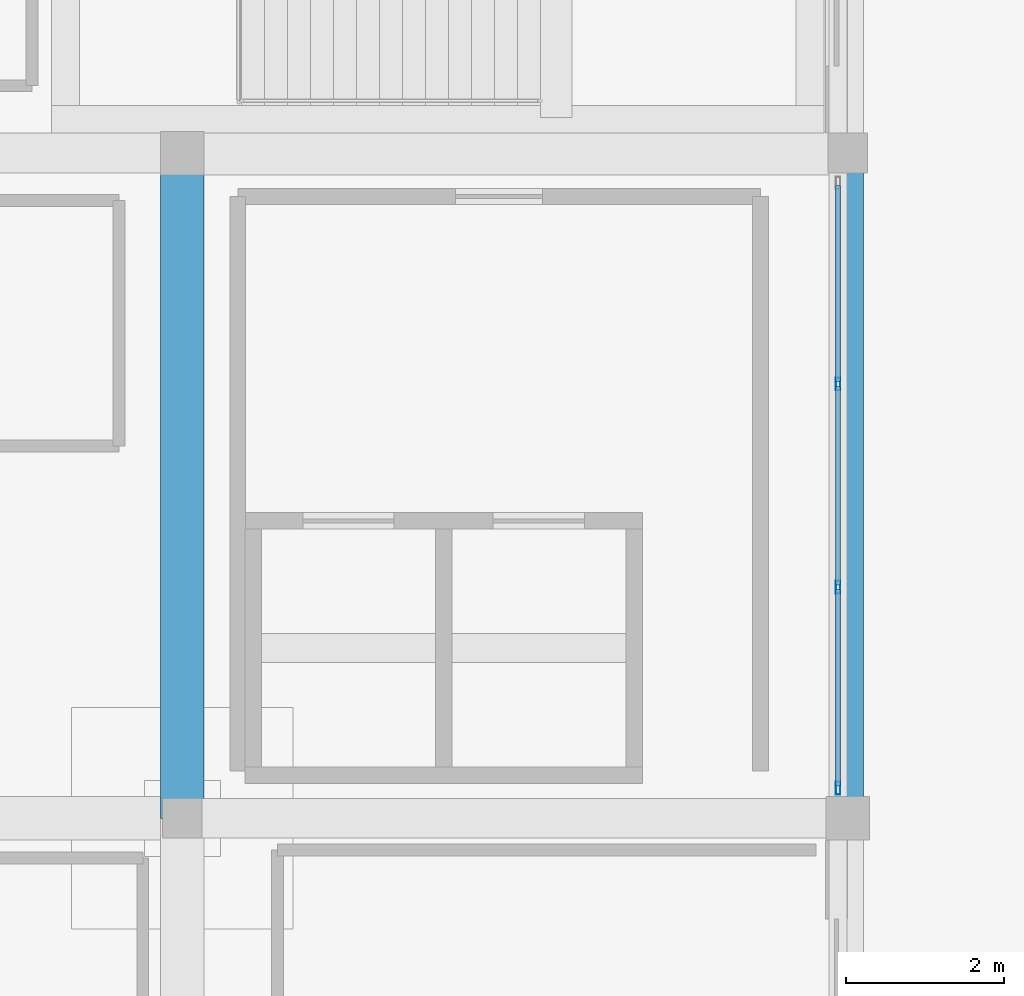
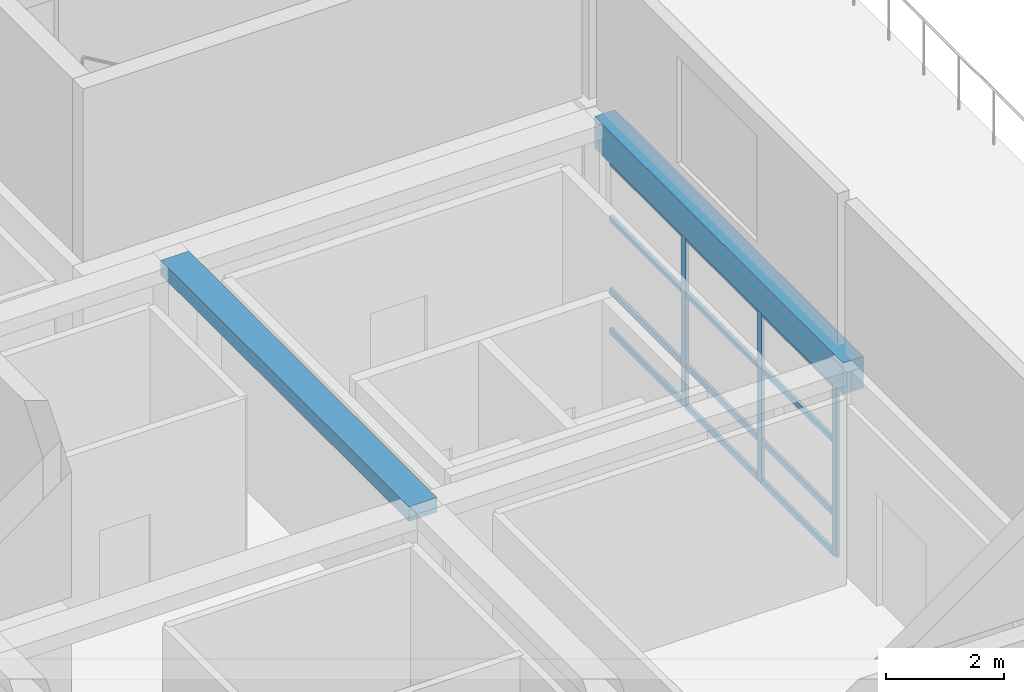
# One storey, part 7 of 17: 15 members, 2 beams, 1 element without a shape of its own.
"""IFC4 building model written with IfcOpenShell, lengths in metres."""

from ifc_helpers import new_model, si_unit, direction, frame, origin, origin_2d, place, context, subcontext, project, spatial, rectangle, hollow_rectangle, extrude, material, material_profile, profile_set, type_object, element, aggregate, save


model = new_model("IFC4")

# Units and contexts
model_context = context("Model", 3, precision=1e-05, world=origin(), true_north=direction((0.0, 1.0)))
body_context = subcontext(model_context, "Body", "Model", "MODEL_VIEW")
ifc_project = project(units=[si_unit("LENGTHUNIT", "METRE"), si_unit("AREAUNIT", "SQUARE_METRE"), si_unit("VOLUMEUNIT", "CUBIC_METRE"), si_unit("PLANEANGLEUNIT", "RADIAN"), si_unit("MASSUNIT", "GRAM", prefix="KILO")], contexts=[model_context])

# Site, building, storey
site_placement = place(None, origin())
site = spatial("IfcSite", under=ifc_project, at=site_placement, CompositionType="ELEMENT")
building_placement = place(site_placement, origin())
building = spatial("IfcBuilding", under=site, at=building_placement, Name="Almacenes y Pasaje Nevantli", CompositionType="ELEMENT")
storey_placement = place(building_placement, frame((0.0, 0.0, 66.699951171875)))
storey = spatial("IfcBuildingStorey", under=building, at=storey_placement, Name="L16", CompositionType="ELEMENT", Elevation=66.699951171875)

# Beams
ifc_material_1 = material(Name="Concrete C35/45", Category="concrete")
ifc_material_profile_1 = material_profile(ifc_material_1, rectangle(XDim=0.39990234375, YDim=0.64990234375, at=origin_2d()), Name="RC-BM-400x650")
ifc_profile_set_1 = profile_set([ifc_material_profile_1], Name="Concrete C35/45")
beam_type_1 = type_object("IfcBeamType", Name="BM-RC-400x650", PredefinedType="SPANDREL", material=ifc_profile_set_1)
beam_1_placement = place(storey_placement, frame((142.800048828125, 75.60009765625, 3.89501953125), z_axis=(0.0, 1.0, 0.0), x_axis=(-1.0, 0.0, 0.0)))
element("IfcBeam", 1, at=beam_1_placement, inside=storey, type_object=beam_type_1, Name="L16 North-South Reinforced Concrete Beam #4063", PredefinedType="SPANDREL", context=body_context, shape_type="SweptSolid", body=[
    extrude(rectangle(XDim=0.39990234375, YDim=0.64990234375, at=origin_2d()), origin(), (0.0, 0.0, 1.0), 8.39990234375),
])
ifc_material_2 = material(Name="Concrete C35/45", Category="concrete")
ifc_material_profile_2 = material_profile(ifc_material_2, rectangle(XDim=0.550048828125, YDim=0.300048828125, at=origin_2d()), Name="RC-BM-550x300")
ifc_profile_set_2 = profile_set([ifc_material_profile_2], Name="Concrete C35/45")
beam_type_2 = type_object("IfcBeamType", Name="BM-RC-550x300", PredefinedType="BEAM", material=ifc_profile_set_2)
beam_2_placement = place(storey_placement, frame((134.39990234375, 75.60009765625, 4.070068359375), z_axis=(0.0, 1.0, 0.0), x_axis=(-1.0, 0.0, 0.0)))
element("IfcBeam", 2, at=beam_2_placement, inside=storey, type_object=beam_type_2, Name="L16 North-South Reinforced Concrete Beam #4061", PredefinedType="BEAM", context=body_context, shape_type="SweptSolid", body=[
    extrude(rectangle(XDim=0.550048828125, YDim=0.300048828125, at=origin_2d()), origin(), (0.0, 0.0, 1.0), 8.39990234375),
])

# Curtain wall, members
ifc_material_3 = material(Name="Thermally Broken Aluminium and Low-E Glass", Category="aluminium")
curtain_wall_type = type_object("IfcCurtainWallType", Name="CW-UNIT-TOWER", PredefinedType="USERDEFINED", material=ifc_material_3)
curtain_wall_placement = place(storey_placement, origin())
curtain_wall = element("IfcCurtainWall", 3, at=curtain_wall_placement, inside=storey, type_object=curtain_wall_type, Name="L16 Tower East Curtain Wall Bay 10", ObjectType="UNITIZED CURTAIN WALL", PredefinedType="USERDEFINED")
ifc_material_4 = material(Name="Thermally Broken Anodized Aluminium", Category="aluminium")
ifc_material_profile_3 = material_profile(ifc_material_4, hollow_rectangle(XDim=0.06005859375, YDim=0.159912109375, WallThickness=0.00390625, at=origin_2d()), Name="ALU-MUL-60x160")
ifc_profile_set_3 = profile_set([ifc_material_profile_3], Name="Thermally Broken Anodized Aluminium")
member_type_1 = type_object("IfcMemberType", Name="CW-MUL-180", PredefinedType="MULLION", material=ifc_profile_set_3)
member_1_placement = place(storey_placement, frame((142.679931640625, 75.97998046875, 0.0), z_axis=(0.0, 0.0, 1.0), x_axis=(-1.0, 0.0, 0.0)))
member_1 = element("IfcMember", 4, at=member_1_placement, type_object=member_type_1, Name="CW-L16-195 mullion 1", PredefinedType="MULLION", context=body_context, shape_type="SweptSolid", body=[
    extrude(hollow_rectangle(XDim=0.06005859375, YDim=0.159912109375, WallThickness=0.00390625, at=origin_2d()), origin(), (0.0, 0.0, 1.0), 3.5400390625),
])
member_2_placement = place(storey_placement, frame((142.679931640625, 78.5166015625, 0.0), z_axis=(0.0, 0.0, 1.0), x_axis=(-1.0, 0.0, 0.0)))
member_2 = element("IfcMember", 5, at=member_2_placement, type_object=member_type_1, Name="CW-L16-195 mullion 2", PredefinedType="MULLION", context=body_context, shape_type="SweptSolid", body=[
    extrude(hollow_rectangle(XDim=0.06005859375, YDim=0.159912109375, WallThickness=0.00390625, at=origin_2d()), origin(), (0.0, 0.0, 1.0), 3.5400390625),
])
member_3_placement = place(storey_placement, frame((142.679931640625, 81.083251953125, 0.0), z_axis=(0.0, 0.0, 1.0), x_axis=(-1.0, 0.0, 0.0)))
member_3 = element("IfcMember", 6, at=member_3_placement, type_object=member_type_1, Name="CW-L16-195 mullion 3", PredefinedType="MULLION", context=body_context, shape_type="SweptSolid", body=[
    extrude(hollow_rectangle(XDim=0.06005859375, YDim=0.159912109375, WallThickness=0.00390625, at=origin_2d()), origin(), (0.0, 0.0, 1.0), 3.5400390625),
])
ifc_material_5 = material(Name="Thermally Broken Anodized Aluminium", Category="aluminium")
ifc_material_profile_4 = material_profile(ifc_material_5, hollow_rectangle(XDim=0.06005859375, YDim=0.1201171875, WallThickness=0.00341796875, at=origin_2d()), Name="ALU-TRN-60x120")
ifc_profile_set_4 = profile_set([ifc_material_profile_4], Name="Thermally Broken Anodized Aluminium")
member_type_2 = type_object("IfcMemberType", Name="CW-TRN-130", PredefinedType="USERDEFINED", material=ifc_profile_set_4)
member_4_placement = place(storey_placement, frame((142.679931640625, 76.010009765625, 0.030029296875), z_axis=(0.0, 1.0, 0.0), x_axis=(-1.0, 0.0, 0.0)))
member_4 = element("IfcMember", 7, at=member_4_placement, type_object=member_type_2, Name="CW-L16-195 transom 1.1", ObjectType="TRANSOM", PredefinedType="USERDEFINED", context=body_context, shape_type="SweptSolid", body=[
    extrude(hollow_rectangle(XDim=0.06005859375, YDim=0.1201171875, WallThickness=0.00341796875, at=origin_2d()), origin(), (0.0, 0.0, 1.0), 2.4765625),
])
member_5_placement = place(storey_placement, frame((142.679931640625, 76.010009765625, 0.85009765625), z_axis=(0.0, 1.0, 0.0), x_axis=(-1.0, 0.0, 0.0)))
member_5 = element("IfcMember", 8, at=member_5_placement, type_object=member_type_2, Name="CW-L16-195 transom 1.2", ObjectType="TRANSOM", PredefinedType="USERDEFINED", context=body_context, shape_type="SweptSolid", body=[
    extrude(hollow_rectangle(XDim=0.06005859375, YDim=0.1201171875, WallThickness=0.00341796875, at=origin_2d()), origin(), (0.0, 0.0, 1.0), 2.4765625),
])
member_6_placement = place(storey_placement, frame((142.679931640625, 76.010009765625, 2.35009765625), z_axis=(0.0, 1.0, 0.0), x_axis=(-1.0, 0.0, 0.0)))
member_6 = element("IfcMember", 9, at=member_6_placement, type_object=member_type_2, Name="CW-L16-195 transom 1.3", ObjectType="TRANSOM", PredefinedType="USERDEFINED", context=body_context, shape_type="SweptSolid", body=[
    extrude(hollow_rectangle(XDim=0.06005859375, YDim=0.1201171875, WallThickness=0.00341796875, at=origin_2d()), origin(), (0.0, 0.0, 1.0), 2.4765625),
])
member_7_placement = place(storey_placement, frame((142.679931640625, 76.010009765625, 3.510009765625), z_axis=(0.0, 1.0, 0.0), x_axis=(-1.0, 0.0, 0.0)))
member_7 = element("IfcMember", 10, at=member_7_placement, type_object=member_type_2, Name="CW-L16-195 transom 1.4", ObjectType="TRANSOM", PredefinedType="USERDEFINED", context=body_context, shape_type="SweptSolid", body=[
    extrude(hollow_rectangle(XDim=0.06005859375, YDim=0.1201171875, WallThickness=0.00341796875, at=origin_2d()), origin(), (0.0, 0.0, 1.0), 2.4765625),
])
member_8_placement = place(storey_placement, frame((142.679931640625, 78.546630859375, 0.030029296875), z_axis=(0.0, 1.0, 0.0), x_axis=(-1.0, 0.0, 0.0)))
member_8 = element("IfcMember", 11, at=member_8_placement, type_object=member_type_2, Name="CW-L16-195 transom 2.1", ObjectType="TRANSOM", PredefinedType="USERDEFINED", context=body_context, shape_type="SweptSolid", body=[
    extrude(hollow_rectangle(XDim=0.06005859375, YDim=0.1201171875, WallThickness=0.00341796875, at=origin_2d()), origin(), (0.0, 0.0, 1.0), 2.506591796875),
])
member_9_placement = place(storey_placement, frame((142.679931640625, 78.546630859375, 0.85009765625), z_axis=(0.0, 1.0, 0.0), x_axis=(-1.0, 0.0, 0.0)))
member_9 = element("IfcMember", 12, at=member_9_placement, type_object=member_type_2, Name="CW-L16-195 transom 2.2", ObjectType="TRANSOM", PredefinedType="USERDEFINED", context=body_context, shape_type="SweptSolid", body=[
    extrude(hollow_rectangle(XDim=0.06005859375, YDim=0.1201171875, WallThickness=0.00341796875, at=origin_2d()), origin(), (0.0, 0.0, 1.0), 2.506591796875),
])
member_10_placement = place(storey_placement, frame((142.679931640625, 78.546630859375, 2.35009765625), z_axis=(0.0, 1.0, 0.0), x_axis=(-1.0, 0.0, 0.0)))
member_10 = element("IfcMember", 13, at=member_10_placement, type_object=member_type_2, Name="CW-L16-195 transom 2.3", ObjectType="TRANSOM", PredefinedType="USERDEFINED", context=body_context, shape_type="SweptSolid", body=[
    extrude(hollow_rectangle(XDim=0.06005859375, YDim=0.1201171875, WallThickness=0.00341796875, at=origin_2d()), origin(), (0.0, 0.0, 1.0), 2.506591796875),
])
member_11_placement = place(storey_placement, frame((142.679931640625, 78.546630859375, 3.510009765625), z_axis=(0.0, 1.0, 0.0), x_axis=(-1.0, 0.0, 0.0)))
member_11 = element("IfcMember", 14, at=member_11_placement, type_object=member_type_2, Name="CW-L16-195 transom 2.4", ObjectType="TRANSOM", PredefinedType="USERDEFINED", context=body_context, shape_type="SweptSolid", body=[
    extrude(hollow_rectangle(XDim=0.06005859375, YDim=0.1201171875, WallThickness=0.00341796875, at=origin_2d()), origin(), (0.0, 0.0, 1.0), 2.506591796875),
])
member_12_placement = place(storey_placement, frame((142.679931640625, 81.11328125, 0.030029296875), z_axis=(0.0, 1.0, 0.0), x_axis=(-1.0, 0.0, 0.0)))
member_12 = element("IfcMember", 15, at=member_12_placement, type_object=member_type_2, Name="CW-L16-195 transom 3.1", ObjectType="TRANSOM", PredefinedType="USERDEFINED", context=body_context, shape_type="SweptSolid", body=[
    extrude(hollow_rectangle(XDim=0.06005859375, YDim=0.1201171875, WallThickness=0.00341796875, at=origin_2d()), origin(), (0.0, 0.0, 1.0), 2.476806640625),
])
member_13_placement = place(storey_placement, frame((142.679931640625, 81.11328125, 0.85009765625), z_axis=(0.0, 1.0, 0.0), x_axis=(-1.0, 0.0, 0.0)))
member_13 = element("IfcMember", 16, at=member_13_placement, type_object=member_type_2, Name="CW-L16-195 transom 3.2", ObjectType="TRANSOM", PredefinedType="USERDEFINED", context=body_context, shape_type="SweptSolid", body=[
    extrude(hollow_rectangle(XDim=0.06005859375, YDim=0.1201171875, WallThickness=0.00341796875, at=origin_2d()), origin(), (0.0, 0.0, 1.0), 2.476806640625),
])
member_14_placement = place(storey_placement, frame((142.679931640625, 81.11328125, 2.35009765625), z_axis=(0.0, 1.0, 0.0), x_axis=(-1.0, 0.0, 0.0)))
member_14 = element("IfcMember", 17, at=member_14_placement, type_object=member_type_2, Name="CW-L16-195 transom 3.3", ObjectType="TRANSOM", PredefinedType="USERDEFINED", context=body_context, shape_type="SweptSolid", body=[
    extrude(hollow_rectangle(XDim=0.06005859375, YDim=0.1201171875, WallThickness=0.00341796875, at=origin_2d()), origin(), (0.0, 0.0, 1.0), 2.476806640625),
])
member_15_placement = place(storey_placement, frame((142.679931640625, 81.11328125, 3.510009765625), z_axis=(0.0, 1.0, 0.0), x_axis=(-1.0, 0.0, 0.0)))
member_15 = element("IfcMember", 18, at=member_15_placement, type_object=member_type_2, Name="CW-L16-195 transom 3.4", ObjectType="TRANSOM", PredefinedType="USERDEFINED", context=body_context, shape_type="SweptSolid", body=[
    extrude(hollow_rectangle(XDim=0.06005859375, YDim=0.1201171875, WallThickness=0.00341796875, at=origin_2d()), origin(), (0.0, 0.0, 1.0), 2.476806640625),
])
aggregate(curtain_wall, [member_1, member_2, member_3, member_4, member_5, member_6, member_7, member_8, member_9, member_10, member_11, member_12, member_13, member_14, member_15])

save(model, "model.ifc")
